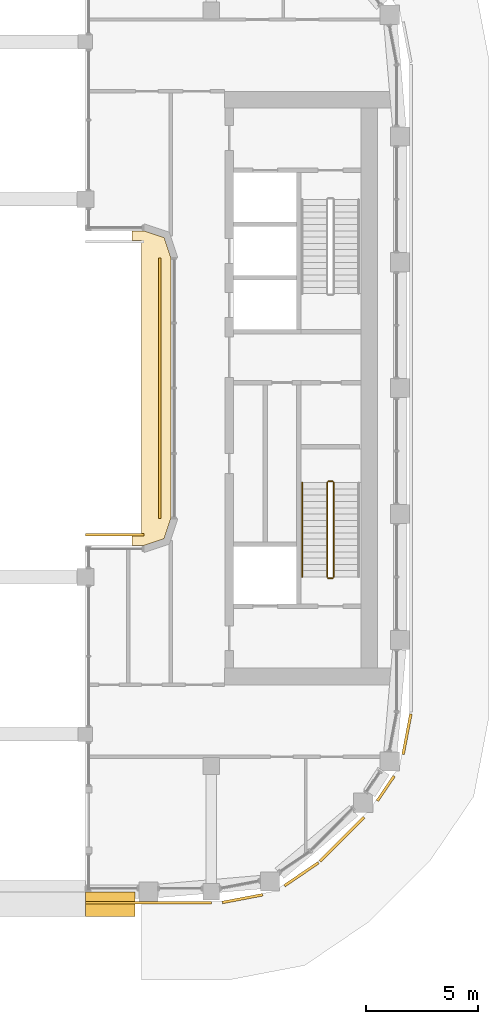
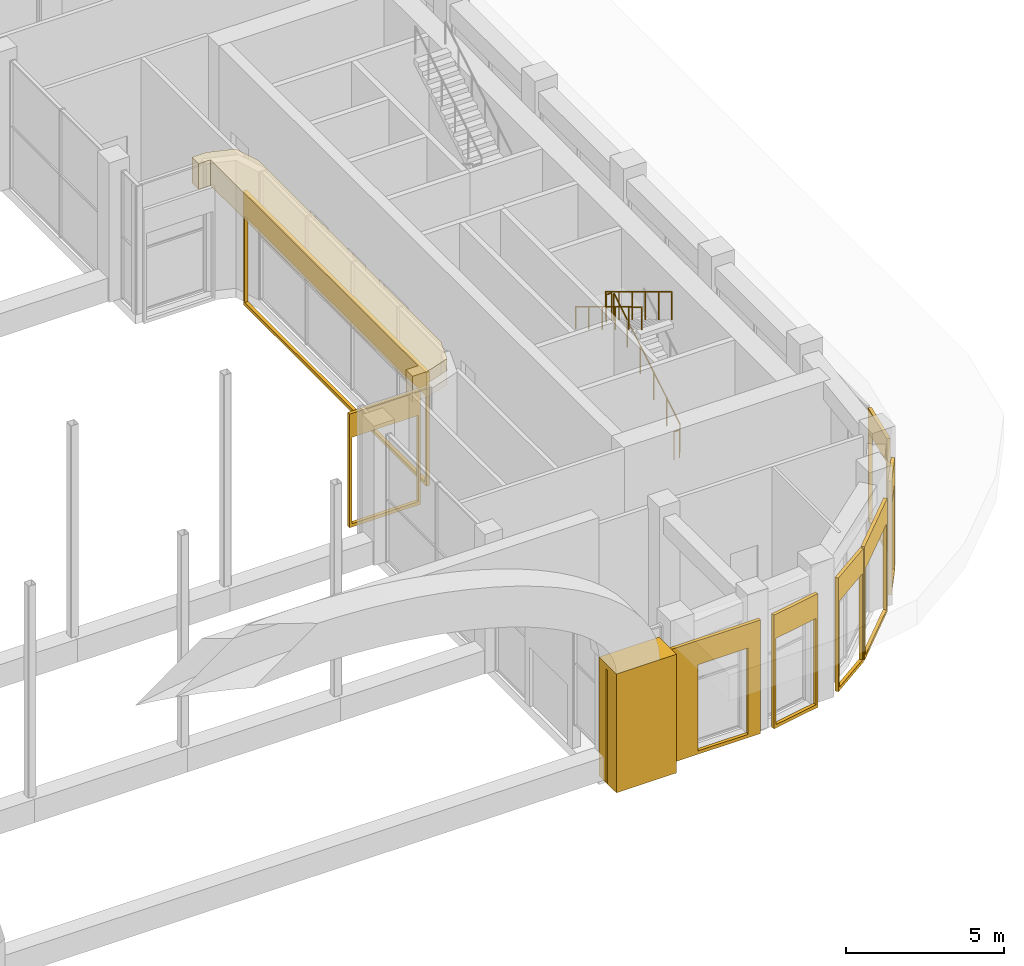
# One storey, part 23 of 26: 10 coverings, 5 railings.
"""IFC4 building model written with IfcOpenShell, lengths in metres."""

from ifc_helpers import new_model, si_unit, direction, frame, origin, origin_2d, place, context, subcontext, project, spatial, polyline, rectangle, circle, outline, extrude, material, layer, layer_set, type_object, element, save


model = new_model("IFC4")

# Units and contexts
model_context = context("Model", 3, precision=1e-05, world=origin(), true_north=direction((0.0, 1.0)))
body_context = subcontext(model_context, "Body", "Model", "MODEL_VIEW")
ifc_project = project(units=[si_unit("LENGTHUNIT", "METRE"), si_unit("AREAUNIT", "SQUARE_METRE"), si_unit("VOLUMEUNIT", "CUBIC_METRE"), si_unit("PLANEANGLEUNIT", "RADIAN"), si_unit("MASSUNIT", "GRAM", prefix="KILO")], contexts=[model_context])

# Site, building, storey
site_placement = place(None, origin())
site = spatial("IfcSite", under=ifc_project, at=site_placement, CompositionType="ELEMENT")
building_placement = place(site_placement, origin())
building = spatial("IfcBuilding", under=site, at=building_placement, Name="Kiln Ring Residences", CompositionType="ELEMENT")
storey_placement = place(building_placement, frame((0.0, 0.0, 230.89990234375)))
storey = spatial("IfcBuildingStorey", under=building, at=storey_placement, Name="L60", CompositionType="ELEMENT", Elevation=230.89990234375)

# Railings
ifc_material_1 = material(Name="Stainless steel", Category="steel")
railing_type_1 = type_object("IfcRailingType", Name="CORE-STAIR-GUARD", PredefinedType="GUARDRAIL", material=ifc_material_1)
railing_1_placement = place(storey_placement, frame((22.25, -8.39990234375, 0.1689453125)))
element("IfcRailing", 1, at=railing_1_placement, inside=storey, type_object=railing_type_1, Name="L60 E-STS stair guard 1", PredefinedType="GUARDRAIL", context=body_context, shape_type="SweptSolid", body=[
    extrude(circle(Radius=0.02392578125, at=origin_2d()), frame((0.0, 0.0, 1.076171875), z_axis=(0.0, 0.856476492594, 0.516186030065), x_axis=(-1.0, 0.0, 0.0)), (0.0, 0.0, 1.0), 4.90380859375),
    extrude(circle(Radius=0.02099609375, at=origin_2d()), origin(), (0.0, 0.0, 1.0), 1.052001953125),
    extrude(circle(Radius=0.02099609375, at=origin_2d()), frame((0.0, 0.840087890625, 0.50634765625)), (0.0, 0.0, 1.0), 1.052001953125),
    extrude(circle(Radius=0.02099609375, at=origin_2d()), frame((0.0, 1.679931640625, 1.012451171875)), (0.0, 0.0, 1.0), 1.052001953125),
    extrude(circle(Radius=0.02099609375, at=origin_2d()), frame((0.0, 2.52001953125, 1.518798828125)), (0.0, 0.0, 1.0), 1.052001953125),
    extrude(circle(Radius=0.02099609375, at=origin_2d()), frame((0.0, 3.35986328125, 2.02490234375)), (0.0, 0.0, 1.0), 1.052001953125),
    extrude(circle(Radius=0.02099609375, at=origin_2d()), frame((0.0, 4.199951171875, 2.53125)), (0.0, 0.0, 1.0), 1.052001953125),
])
railing_2_placement = place(storey_placement, frame((22.199951171875, -4.14990234375, 2.7001953125)))
element("IfcRailing", 2, at=railing_2_placement, inside=storey, type_object=railing_type_1, Name="L60 E-STS stair guard 2", PredefinedType="GUARDRAIL", context=body_context, shape_type="SweptSolid", body=[
    extrude(circle(Radius=0.02392578125, at=origin_2d()), frame((0.0, 0.0, 1.076171875), z_axis=(-1.0, 0.0, 0.0), x_axis=(0.0, -1.0, 0.0)), (0.0, 0.0, 1.0), 0.199951171875),
    extrude(circle(Radius=0.02099609375, at=origin_2d()), origin(), (0.0, 0.0, 1.0), 1.052001953125),
    extrude(circle(Radius=0.02099609375, at=origin_2d()), frame((-0.199951171875, 0.0, 0.0)), (0.0, 0.0, 1.0), 1.052001953125),
])
railing_3_placement = place(storey_placement, frame((21.949951171875, -4.199951171875, 2.868896484375)))
element("IfcRailing", 3, at=railing_3_placement, inside=storey, type_object=railing_type_1, Name="L60 E-STS stair guard 3", PredefinedType="GUARDRAIL", context=body_context, shape_type="SweptSolid", body=[
    extrude(circle(Radius=0.02392578125, at=origin_2d()), frame((0.0, 0.0, 1.076171875), z_axis=(0.0, -0.856476492594, 0.516186030065), x_axis=(1.0, 0.0, 0.0)), (0.0, 0.0, 1.0), 4.90380859375),
    extrude(circle(Radius=0.02099609375, at=origin_2d()), origin(), (0.0, 0.0, 1.0), 1.052001953125),
    extrude(circle(Radius=0.02099609375, at=origin_2d()), frame((0.0, -0.840087890625, 0.50634765625)), (0.0, 0.0, 1.0), 1.052001953125),
    extrude(circle(Radius=0.02099609375, at=origin_2d()), frame((0.0, -1.679931640625, 1.012451171875)), (0.0, 0.0, 1.0), 1.052001953125),
    extrude(circle(Radius=0.02099609375, at=origin_2d()), frame((0.0, -2.52001953125, 1.518798828125)), (0.0, 0.0, 1.0), 1.052001953125),
    extrude(circle(Radius=0.02099609375, at=origin_2d()), frame((0.0, -3.35986328125, 2.02490234375)), (0.0, 0.0, 1.0), 1.052001953125),
    extrude(circle(Radius=0.02099609375, at=origin_2d()), frame((0.0, -4.199951171875, 2.53125)), (0.0, 0.0, 1.0), 1.052001953125),
])
railing_4_placement = place(storey_placement, frame((22.199951171875, -8.449951171875, 0.0)))
element("IfcRailing", 4, at=railing_4_placement, inside=storey, type_object=railing_type_1, Name="L60 E-STS stair guard 4", PredefinedType="GUARDRAIL", context=body_context, shape_type="SweptSolid", body=[
    extrude(circle(Radius=0.02392578125, at=origin_2d()), frame((0.0, 0.0, 1.076171875), z_axis=(-1.0, 0.0, 0.0), x_axis=(0.0, -1.0, 0.0)), (0.0, 0.0, 1.0), 0.199951171875),
    extrude(circle(Radius=0.02099609375, at=origin_2d()), origin(), (0.0, 0.0, 1.0), 1.052001953125),
    extrude(circle(Radius=0.02099609375, at=origin_2d()), frame((-0.199951171875, 0.0, 0.0)), (0.0, 0.0, 1.0), 1.052001953125),
])
ifc_material_2 = material(Name="Stainless steel", Category="steel")
railing_type_2 = type_object("IfcRailingType", Name="CORE-STAIR-HANDRAIL", PredefinedType="HANDRAIL", material=ifc_material_2)
railing_5_placement = place(storey_placement, frame((20.85009765625, -4.199951171875, 2.868896484375)))
element("IfcRailing", 5, at=railing_5_placement, inside=storey, type_object=railing_type_2, Name="L60 E-STS stair handrail 2", PredefinedType="HANDRAIL", context=body_context, shape_type="SweptSolid", body=[
    extrude(circle(Radius=0.02392578125, at=origin_2d()), frame((0.0, 0.0, 0.8759765625), z_axis=(0.0, -0.856476492594, 0.516186030065), x_axis=(1.0, 0.0, 0.0)), (0.0, 0.0, 1.0), 4.90380859375),
    extrude(circle(Radius=0.02099609375, at=origin_2d()), origin(), (0.0, 0.0, 1.0), 0.851806640625),
    extrude(circle(Radius=0.02099609375, at=origin_2d()), frame((0.0, -0.840087890625, 0.50634765625)), (0.0, 0.0, 1.0), 0.851806640625),
    extrude(circle(Radius=0.02099609375, at=origin_2d()), frame((0.0, -1.679931640625, 1.012451171875)), (0.0, 0.0, 1.0), 0.851806640625),
    extrude(circle(Radius=0.02099609375, at=origin_2d()), frame((0.0, -2.52001953125, 1.518798828125)), (0.0, 0.0, 1.0), 0.851806640625),
    extrude(circle(Radius=0.02099609375, at=origin_2d()), frame((0.0, -3.35986328125, 2.02490234375)), (0.0, 0.0, 1.0), 0.851806640625),
    extrude(circle(Radius=0.02099609375, at=origin_2d()), frame((0.0, -4.199951171875, 2.53125)), (0.0, 0.0, 1.0), 0.851806640625),
])

# Coverings
ifc_material_3 = material(Name="Concrete C35/45, exposed aggregate finish", Category="concrete")
covering_type_1 = type_object("IfcCoveringType", Name="PORTAL JAMB 1400 x 700", PredefinedType="CLADDING", material=ifc_material_3)
covering_1_placement = place(storey_placement, frame((12.300048828125, -22.949951171875, 0.0), z_axis=(0.0, 0.0, 1.0), x_axis=(1.0, 0.0, 0.0)))
element("IfcCovering", 6, at=covering_1_placement, inside=storey, type_object=covering_type_1, Name="PORTAL JAMB L60", PredefinedType="CLADDING", context=body_context, shape_type="SweptSolid", body=[
    extrude(rectangle(XDim=2.199951171875, YDim=1.10009765625, at=origin_2d()), origin(), (0.0, 0.0, 1.0), 4.60009765625),
])
ifc_material_4 = material(Name="Brick masonry, dark clay brick", Category="masonry")
ifc_layer_1 = layer(ifc_material_4, 0.1201171875)
ifc_layer_set_1 = layer_set([ifc_layer_1], Name="RAINSCREEN PANEL 120")
covering_type_2 = type_object("IfcCoveringType", Name="RAINSCREEN PANEL 120", PredefinedType="CLADDING", material=ifc_layer_set_1)
covering_2_placement = place(storey_placement, frame((13.800048828125, -6.514892578125, 0.0), z_axis=(0.0, 0.0, 1.0), x_axis=(-1.0, 0.0, 0.0)))
element("IfcCovering", 7, at=covering_2_placement, inside=storey, type_object=covering_type_2, Name="RAINSCREEN L60", PredefinedType="CLADDING", context=body_context, shape_type="SweptSolid", body=[
    extrude(outline(polyline([(0.0, 0.0), (2.60009765625, 0.0), (2.60009765625, 4.400146484375), (0.0, 4.400146484375), (0.0, 0.0)]), holes=[polyline([(0.080078125, 3.47021484375), (0.080078125, 0.130126953125), (2.52001953125, 0.130126953125), (2.52001953125, 3.47021484375), (0.080078125, 3.47021484375)])]), frame((0.0, 0.06005859375, 0.0), z_axis=(0.0, -1.0, 0.0), x_axis=(1.0, 0.0, 0.0)), (0.0, 0.0, 1.0), 0.1201171875),
])
covering_3_placement = place(storey_placement, frame((11.199951171875, -22.885009765625, 0.0), z_axis=(0.0, 0.0, 1.0), x_axis=(1.0, 0.0, 0.0)))
element("IfcCovering", 8, at=covering_3_placement, inside=storey, type_object=covering_type_2, Name="RAINSCREEN L60", PredefinedType="CLADDING", context=body_context, shape_type="SweptSolid", body=[
    extrude(outline(polyline([(0.0, 0.0), (5.60009765625, 0.0), (5.60009765625, 4.400146484375), (0.0, 4.400146484375), (0.0, 0.0)]), holes=[polyline([(2.294921875, 3.47021484375), (0.080078125, 3.47021484375), (0.080078125, 0.130126953125), (2.294921875, 0.130126953125), (2.294921875, 3.47021484375)]), polyline([(5.14501953125, 3.47021484375), (3.304931640625, 3.47021484375), (3.304931640625, 0.130126953125), (5.14501953125, 0.130126953125), (5.14501953125, 3.47021484375)])]), frame((0.0, 0.06005859375, 0.0), z_axis=(0.0, -1.0, 0.0), x_axis=(1.0, 0.0, 0.0)), (0.0, 0.0, 1.0), 0.1201171875),
])
for number, where, z_axis, x_axis, name in (
    (9, (17.290771484375, -22.87646484375, 0.0), (0.0, 0.0, 1.0), (0.982275499014, 0.187442908742, 0.0), "RAINSCREEN L60"),
    (10, (20.05517578125, -22.13330078125, 0.0), (0.0, 0.0, 1.0), (0.82705295608, 0.562124014644, 0.0), "RAINSCREEN L60"),
):
    element("IfcCovering", number, at=place(storey_placement, frame(where, z_axis=z_axis, x_axis=x_axis)), inside=storey, type_object=covering_type_2, Name=name, PredefinedType="CLADDING", context=body_context, shape_type="SweptSolid", body=[
        extrude(outline(polyline([(0.0, 0.0), (1.8310546875, 0.0), (1.8310546875, 4.400146484375), (0.0, 4.400146484375), (0.0, 0.0)]), holes=[polyline([(0.080078125, 3.47021484375), (0.080078125, 0.130126953125), (1.751220703125, 0.130126953125), (1.751220703125, 3.47021484375), (0.080078125, 3.47021484375)])]), frame((0.0, 0.06005859375, 0.0), z_axis=(0.0, -1.0, 0.0), x_axis=(1.0, 0.0, 0.0)), (0.0, 0.0, 1.0), 0.1201171875),
    ])
covering_4_placement = place(storey_placement, frame((21.639892578125, -21.0458984375, 0.0), z_axis=(0.0, 0.0, 1.0), x_axis=(0.707150767798, 0.707062791838, 0.0)))
element("IfcCovering", 11, at=covering_4_placement, inside=storey, type_object=covering_type_2, Name="RAINSCREEN L60", PredefinedType="CLADDING", context=body_context, shape_type="SweptSolid", body=[
    extrude(outline(polyline([(0.0, 0.0), (2.77490234375, 0.0), (2.77490234375, 4.400146484375), (0.0, 4.400146484375), (0.0, 0.0)]), holes=[polyline([(0.080078125, 3.47021484375), (0.080078125, 0.130126953125), (2.695068359375, 0.130126953125), (2.695068359375, 3.47021484375), (0.080078125, 3.47021484375)])]), frame((0.0, 0.06005859375, 0.0), z_axis=(0.0, -1.0, 0.0), x_axis=(1.0, 0.0, 0.0)), (0.0, 0.0, 1.0), 0.1201171875),
])
covering_5_placement = place(storey_placement, frame((24.187255859375, -18.352783203125, 0.0), z_axis=(0.0, 0.0, 1.0), x_axis=(0.562149004813, 0.827035970432, 0.0)))
element("IfcCovering", 12, at=covering_5_placement, inside=storey, type_object=covering_type_2, Name="RAINSCREEN L60", PredefinedType="CLADDING", context=body_context, shape_type="SweptSolid", body=[
    extrude(outline(polyline([(0.0, 0.0), (1.3271484375, 0.0), (1.3271484375, 4.400146484375), (0.0, 4.400146484375), (0.0, 0.0)]), holes=[polyline([(0.080078125, 3.47021484375), (0.080078125, 0.130126953125), (1.2470703125, 0.130126953125), (1.2470703125, 3.47021484375), (0.080078125, 3.47021484375)])]), frame((0.0, 0.06005859375, 0.0), z_axis=(0.0, -1.0, 0.0), x_axis=(1.0, 0.0, 0.0)), (0.0, 0.0, 1.0), 0.1201171875),
])
covering_6_placement = place(storey_placement, frame((25.333251953125, -16.28955078125, 0.0), z_axis=(0.0, 0.0, 1.0), x_axis=(0.187467458198, 0.982270814041, 0.0)))
element("IfcCovering", 13, at=covering_6_placement, inside=storey, type_object=covering_type_2, Name="RAINSCREEN L60", PredefinedType="CLADDING", context=body_context, shape_type="SweptSolid", body=[
    extrude(outline(polyline([(0.0, 0.0), (1.8310546875, 0.0), (1.8310546875, 4.400146484375), (0.0, 4.400146484375), (0.0, 0.0)]), holes=[polyline([(0.080078125, 3.47021484375), (0.080078125, 0.130126953125), (1.751220703125, 0.130126953125), (1.751220703125, 3.47021484375), (0.080078125, 3.47021484375)])]), frame((0.0, 0.06005859375, 0.0), z_axis=(0.0, -1.0, 0.0), x_axis=(1.0, 0.0, 0.0)), (0.0, 0.0, 1.0), 0.1201171875),
])
covering_7_placement = place(storey_placement, frame((14.514892578125, 5.800048828125, 0.0), z_axis=(0.0, 0.0, 1.0), x_axis=(0.0, -1.0, 0.0)))
element("IfcCovering", 14, at=covering_7_placement, inside=storey, type_object=covering_type_2, Name="RAINSCREEN L60", PredefinedType="CLADDING", context=body_context, shape_type="SweptSolid", body=[
    extrude(outline(polyline([(0.0, 0.0), (11.60009765625, 0.0), (11.60009765625, 4.400146484375), (0.0, 4.400146484375), (0.0, 0.0)]), holes=[polyline([(0.080078125, 3.47021484375), (0.080078125, 0.130126953125), (11.52001953125, 0.130126953125), (11.52001953125, 3.47021484375), (0.080078125, 3.47021484375)])]), frame((0.0, 0.06005859375, 0.0), z_axis=(0.0, -1.0, 0.0), x_axis=(1.0, 0.0, 0.0)), (0.0, 0.0, 1.0), 0.1201171875),
])
ifc_material_5 = material(Name="Black powder-coated steel", Category="steel")
ifc_layer_2 = layer(ifc_material_5, 1.0)
ifc_layer_set_2 = layer_set([ifc_layer_2], Name="SUNSHADE FIN 3500")
covering_type_3 = type_object("IfcCoveringType", Name="SUNSHADE FIN 3500", PredefinedType="CLADDING", material=ifc_layer_set_2)
covering_8_placement = place(storey_placement, frame((0.0, 0.0, 4.400146484375)))
element("IfcCovering", 15, at=covering_8_placement, inside=storey, type_object=covering_type_3, Name="SUNSHADE FIN L60", PredefinedType="CLADDING", context=body_context, shape_type="SweptSolid", body=[
    extrude(outline(polyline([(13.264892578125, 6.574951171875), (13.699951171875, 6.574951171875), (13.699951171875, -6.574951171875), (13.264892578125, -6.574951171875), (13.264892578125, -7.0), (13.800048828125, -7.0), (14.699951171875, -6.699951171875), (15.0, -5.800048828125), (15.0, 5.800048828125), (14.699951171875, 6.699951171875), (13.800048828125, 7.0), (13.264892578125, 7.0), (13.264892578125, 6.574951171875)])), origin(), (0.0, 0.0, 1.0), 1.0),
])

save(model, "model.ifc")
